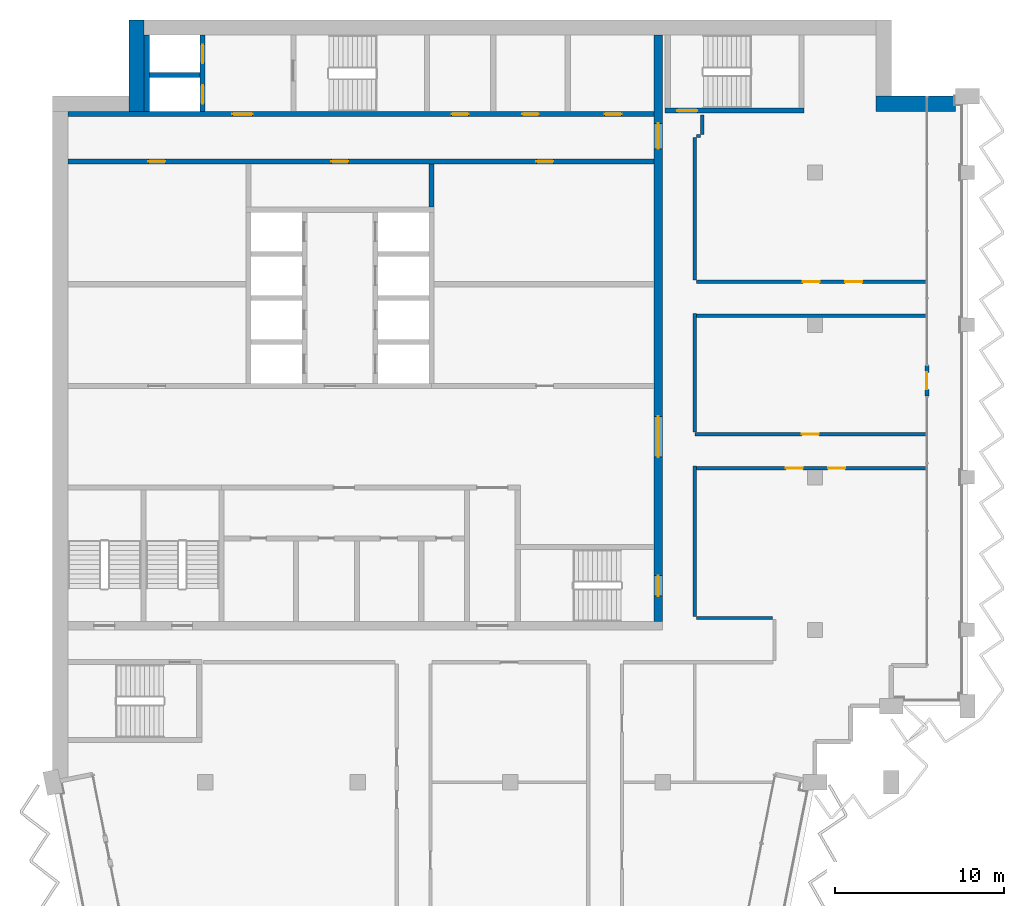
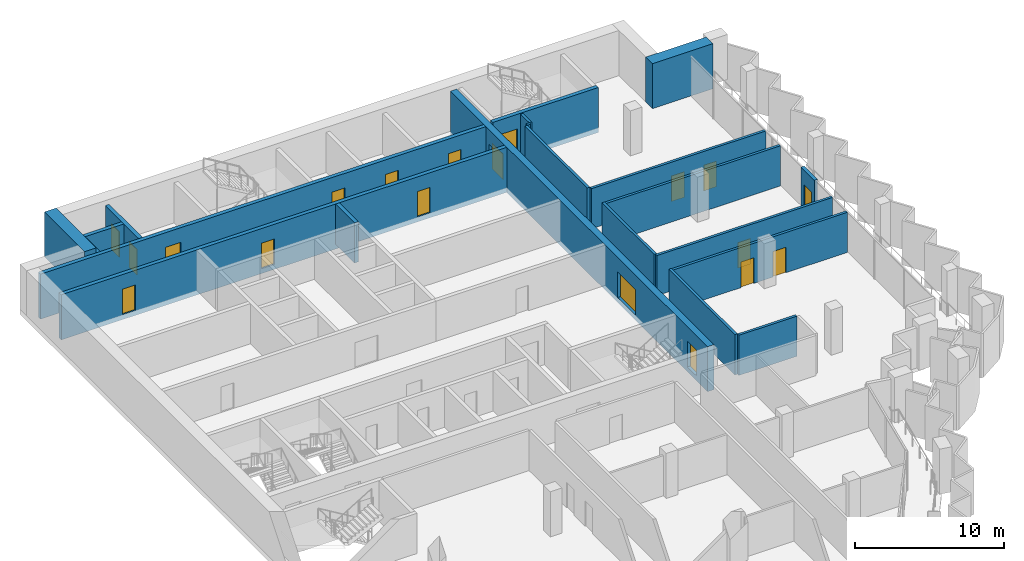
# One storey, part 8 of 13: 21 walls, 19 doors, 19 openings.
"""IFC4 building model written with IfcOpenShell, lengths in metres."""

from ifc_helpers import new_model, si_unit, direction, frame, frame_2d, origin, place, context, subcontext, project, spatial, rectangle, extrude, material, layer, layer_set, type_object, element, fill, save


model = new_model("IFC4")

# Units and contexts
model_context = context("Model", 3, precision=1e-05, world=origin(), true_north=direction((0.0, 1.0)))
body_context = subcontext(model_context, "Body", "Model", "MODEL_VIEW")
ifc_project = project(units=[si_unit("LENGTHUNIT", "METRE"), si_unit("AREAUNIT", "SQUARE_METRE"), si_unit("VOLUMEUNIT", "CUBIC_METRE"), si_unit("PLANEANGLEUNIT", "RADIAN"), si_unit("MASSUNIT", "GRAM", prefix="KILO")], contexts=[model_context])

# Site, building, storey
site_placement = place(None, origin())
site = spatial("IfcSite", under=ifc_project, at=site_placement, CompositionType="ELEMENT")
building_placement = place(site_placement, origin())
building = spatial("IfcBuilding", under=site, at=building_placement, Name="Hunhe Ridgeline Campus", CompositionType="ELEMENT")
storey_placement = place(building_placement, frame((0.0, 0.0, 280.800048828125)))
storey = spatial("IfcBuildingStorey", under=building, at=storey_placement, Name="L72", CompositionType="ELEMENT", Elevation=280.800048828125)

# Wall
ifc_material_1 = material(Name="Masonry concrete blockwork", Category="masonry")
ifc_layer_1 = layer(ifc_material_1, 0.300048828125)
ifc_layer_set_1 = layer_set([ifc_layer_1], Name="Core room partition 300 concrete block")
wall_type_1 = type_object("IfcWallType", Name="Core room partition 300 concrete block", PredefinedType="PARTITIONING", material=ifc_layer_set_1)
wall_1_placement = place(storey_placement, frame((22.35009765625, 87.949951171875, 0.0), z_axis=(0.0, 0.0, 1.0), x_axis=(0.0, 1.0, 0.0)))
element("IfcWall", 1, at=wall_1_placement, inside=storey, type_object=wall_type_1, Name="L72 core partition 38", PredefinedType="PARTITIONING", context=body_context, shape_type="SweptSolid", body=[
    extrude(rectangle(XDim=2.550048828125, YDim=0.300048828125, at=frame_2d((1.27490234375, 0.0))), origin(), (0.0, 0.0, 1.0), 3.300048828125),
])

# Wall, openings, doors
ifc_material_2 = material(Name="Concrete C50", Category="concrete")
ifc_layer_2 = layer(ifc_material_2, 0.5)
ifc_layer_set_2 = layer_set([ifc_layer_2], Name="Core wall 500 reinforced concrete C50")
wall_type_2 = type_object("IfcWallType", Name="Core wall 500 reinforced concrete C50", PredefinedType="SOLIDWALL", material=ifc_layer_set_2)
wall_2_placement = place(storey_placement, frame((35.75, 63.5, -0.400146484375), z_axis=(0.0, 0.0, 1.0), x_axis=(0.0, 1.0, 0.0)))
wall_2 = element("IfcWall", 2, at=wall_2_placement, inside=storey, type_object=wall_type_2, Name="L72 core wall 44", PredefinedType="SOLIDWALL", context=body_context, shape_type="SweptSolid", body=[
    extrude(rectangle(XDim=34.60009765625, YDim=0.5, at=frame_2d((17.300048828125, 0.0))), origin(), (0.0, 0.0, 1.0), 3.7001953125),
])
opening_1_placement = place(wall_2_placement, frame((9.699951171875, 0.0, 0.39990234375)))
opening_1 = element("IfcOpeningElement", 3, at=opening_1_placement, cuts=wall_2, Name="Opening CD4", PredefinedType="OPENING", context=body_context, shape_type="SweptSolid", body=[
    extrude(rectangle(XDim=2.39990234375, YDim=2.10009765625, at=frame_2d((1.199951171875, 1.050048828125))), frame((0.0, 0.25, 0.0), z_axis=(0.0, -1.0, 0.0), x_axis=(1.0, 0.0, 0.0)), (0.0, 0.0, 1.0), 0.5),
])
opening_2_placement = place(wall_2_placement, frame((27.89990234375, 0.0, 0.39990234375)))
opening_2 = element("IfcOpeningElement", 4, at=opening_2_placement, cuts=wall_2, Name="Opening CD5", PredefinedType="OPENING", context=body_context, shape_type="SweptSolid", body=[
    extrude(rectangle(XDim=1.5, YDim=2.10009765625, at=frame_2d((0.75, 1.050048828125))), frame((0.0, 0.25, 0.0), z_axis=(0.0, -1.0, 0.0), x_axis=(1.0, 0.0, 0.0)), (0.0, 0.0, 1.0), 0.5),
])
opening_3_placement = place(wall_2_placement, frame((1.5, 0.0, 0.39990234375)))
opening_3 = element("IfcOpeningElement", 5, at=opening_3_placement, cuts=wall_2, Name="Opening CD15", PredefinedType="OPENING", context=body_context, shape_type="SweptSolid", body=[
    extrude(rectangle(XDim=1.199951171875, YDim=2.10009765625, at=frame_2d((0.60009765625, 1.050048828125))), frame((0.0, 0.25, 0.0), z_axis=(0.0, -1.0, 0.0), x_axis=(1.0, 0.0, 0.0)), (0.0, 0.0, 1.0), 0.5),
])
ifc_material_3 = material(Name="Anodised aluminium and glass", Category="aluminium")
door_type_1 = type_object("IfcDoorType", Name="Glazed double door 2400x2100", OperationType="DOUBLE_DOOR_SINGLE_SWING", PredefinedType="DOOR", material=ifc_material_3)
door_1_placement = place(opening_1_placement, frame((2.39990234375, 0.0, 0.0), z_axis=(0.0, 0.0, 1.0), x_axis=(-1.0, 0.0, 0.0)))
door_1 = element("IfcDoor", 6, at=door_1_placement, inside=storey, type_object=door_type_1, Name="L72 door HALL-FLOOR", OperationType="DOUBLE_DOOR_SINGLE_SWING", OverallHeight=2.10009765625, OverallWidth=2.39990234375, PredefinedType="DOOR", context=body_context, shape_type="SweptSolid", body=[
    extrude(rectangle(XDim=2.39990234375, YDim=2.10009765625, at=frame_2d((1.199951171875, 1.050048828125))), frame((0.0, 0.02490234375, 0.0), z_axis=(0.0, -1.0, 0.0), x_axis=(1.0, 0.0, 0.0)), (0.0, 0.0, 1.0), 0.050048828125),
])
fill(opening_1, door_1)
ifc_material_4 = material(Name="Hollow metal fire door leaf")
door_type_2 = type_object("IfcDoorType", Name="Stair door 1200x2100 FD60", OperationType="SINGLE_SWING_LEFT", PredefinedType="DOOR", material=ifc_material_4)
door_2_placement = place(opening_3_placement, frame((1.199951171875, 0.0, 0.0), z_axis=(0.0, 0.0, 1.0), x_axis=(-1.0, 0.0, 0.0)))
door_2 = element("IfcDoor", 7, at=door_2_placement, inside=storey, type_object=door_type_2, Name="L72 door S2-FLOOR", OperationType="SINGLE_SWING_LEFT", OverallHeight=2.10009765625, OverallWidth=1.199951171875, PredefinedType="DOOR", context=body_context, shape_type="SweptSolid", body=[
    extrude(rectangle(XDim=1.199951171875, YDim=2.10009765625, at=frame_2d((0.60009765625, 1.050048828125))), frame((0.0, 0.02490234375, 0.0), z_axis=(0.0, -1.0, 0.0), x_axis=(1.0, 0.0, 0.0)), (0.0, 0.0, 1.0), 0.050048828125),
])
fill(opening_3, door_2)
ifc_material_5 = material(Name="Solid core timber door leaf", Category="wood")
door_type_3 = type_object("IfcDoorType", Name="Timber door 1500x2100", OperationType="SINGLE_SWING_LEFT", PredefinedType="DOOR", material=ifc_material_5)
door_3_placement = place(opening_2_placement, frame((1.5, 0.0, 0.0), z_axis=(0.0, 0.0, 1.0), x_axis=(-1.0, 0.0, 0.0)))
door_3 = element("IfcDoor", 8, at=door_3_placement, inside=storey, type_object=door_type_3, Name="L72 door C1-FLOOR", OperationType="SINGLE_SWING_LEFT", OverallHeight=2.10009765625, OverallWidth=1.5, PredefinedType="DOOR", context=body_context, shape_type="SweptSolid", body=[
    extrude(rectangle(XDim=1.5, YDim=2.10009765625, at=frame_2d((0.75, 1.050048828125))), frame((0.0, 0.02490234375, 0.0), z_axis=(0.0, -1.0, 0.0), x_axis=(1.0, 0.0, 0.0)), (0.0, 0.0, 1.0), 0.050048828125),
])
fill(opening_2, door_3)

# Wall
ifc_material_6 = material(Name="Gypsum board partition")
ifc_layer_3 = layer(ifc_material_6, 0.199951171875)
ifc_layer_set_3 = layer_set([ifc_layer_3], Name="Corridor partition 200 gypsum board on steel studs")
wall_type_3 = type_object("IfcWallType", Name="Corridor partition 200 gypsum board on steel studs", PredefinedType="PARTITIONING", material=ifc_layer_set_3)
wall_3_placement = place(storey_placement, frame((38.0, 63.699951171875, 0.0), z_axis=(0.0, 0.0, 1.0), x_axis=(1.0, 0.0, 0.0)))
element("IfcWall", 9, at=wall_3_placement, inside=storey, type_object=wall_type_3, Name="F-L72-wall-015", PredefinedType="PARTITIONING", context=body_context, shape_type="SweptSolid", body=[
    extrude(rectangle(XDim=4.5, YDim=0.199951171875, at=frame_2d((2.25, 0.0))), origin(), (0.0, 0.0, 1.0), 3.300048828125),
])

# Wall, openings, doors
wall_4_placement = place(storey_placement, frame((51.544921875, 72.550048828125, 0.0), z_axis=(0.0, 0.0, 1.0), x_axis=(-1.0, 0.0, 0.0)))
wall_4 = element("IfcWall", 10, at=wall_4_placement, inside=storey, type_object=wall_type_3, Name="F-L72-wall-016", PredefinedType="PARTITIONING", context=body_context, shape_type="SweptSolid", body=[
    extrude(rectangle(XDim=13.544921875, YDim=0.199951171875, at=frame_2d((6.7724609375, 0.0))), origin(), (0.0, 0.0, 1.0), 3.300048828125),
])
opening_4_placement = place(wall_4_placement, frame((7.2724609375, 0.0, 0.0)))
opening_4 = element("IfcOpeningElement", 11, at=opening_4_placement, cuts=wall_4, Name="Opening RD1-012", PredefinedType="OPENING", context=body_context, shape_type="SweptSolid", body=[
    extrude(rectangle(XDim=1.0, YDim=2.10009765625, at=frame_2d((0.5, 1.050048828125))), frame((0.0, 0.10009765625, 0.0), z_axis=(0.0, -1.0, 0.0), x_axis=(1.0, 0.0, 0.0)), (0.0, 0.0, 1.0), 0.199951171875),
])
opening_5_placement = place(wall_4_placement, frame((4.7724609375, 0.0, 0.0)))
opening_5 = element("IfcOpeningElement", 12, at=opening_5_placement, cuts=wall_4, Name="Opening RD1-013", PredefinedType="OPENING", context=body_context, shape_type="SweptSolid", body=[
    extrude(rectangle(XDim=1.0, YDim=2.10009765625, at=frame_2d((0.5, 1.050048828125))), frame((0.0, 0.10009765625, 0.0), z_axis=(0.0, -1.0, 0.0), x_axis=(1.0, 0.0, 0.0)), (0.0, 0.0, 1.0), 0.199951171875),
])
ifc_material_7 = material(Name="Timber door leaf", Category="wood")
door_type_4 = type_object("IfcDoorType", Name="Single fire door 1000x2100 timber FD60", OperationType="NOTDEFINED", PredefinedType="DOOR", material=ifc_material_7)
door_4_placement = place(opening_4_placement, frame((1.0, 0.0, 0.0), z_axis=(0.0, 0.0, 1.0), x_axis=(-1.0, 0.0, 0.0)))
door_4 = element("IfcDoor", 13, at=door_4_placement, inside=storey, type_object=door_type_4, Name="F-L72-door-012", OperationType="SINGLE_SWING_LEFT", OverallHeight=2.10009765625, OverallWidth=1.0, PredefinedType="DOOR", context=body_context, shape_type="SweptSolid", body=[
    extrude(rectangle(XDim=1.0, YDim=2.10009765625, at=frame_2d((0.5, 1.050048828125))), frame((0.0, 0.02490234375, 0.0), z_axis=(0.0, -1.0, 0.0), x_axis=(1.0, 0.0, 0.0)), (0.0, 0.0, 1.0), 0.050048828125),
])
fill(opening_4, door_4)
door_5_placement = place(opening_5_placement, frame((1.0, 0.0, 0.0), z_axis=(0.0, 0.0, 1.0), x_axis=(-1.0, 0.0, 0.0)))
door_5 = element("IfcDoor", 14, at=door_5_placement, inside=storey, type_object=door_type_4, Name="F-L72-door-013", OperationType="SINGLE_SWING_RIGHT", OverallHeight=2.10009765625, OverallWidth=1.0, PredefinedType="DOOR", context=body_context, shape_type="SweptSolid", body=[
    extrude(rectangle(XDim=1.0, YDim=2.10009765625, at=frame_2d((0.5, 1.050048828125))), frame((0.0, 0.02490234375, 0.0), z_axis=(0.0, -1.0, 0.0), x_axis=(1.0, 0.0, 0.0)), (0.0, 0.0, 1.0), 0.050048828125),
])
fill(opening_5, door_5)

# Wall, opening, door
wall_5_placement = place(storey_placement, frame((37.89990234375, 74.550048828125, 0.0), z_axis=(0.0, 0.0, 1.0), x_axis=(1.0, 0.0, 0.0)))
wall_5 = element("IfcWall", 15, at=wall_5_placement, inside=storey, type_object=wall_type_3, Name="F-L72-wall-017", PredefinedType="PARTITIONING", context=body_context, shape_type="SweptSolid", body=[
    extrude(rectangle(XDim=13.64501953125, YDim=0.199951171875, at=frame_2d((6.822509765625, 0.0))), origin(), (0.0, 0.0, 1.0), 3.300048828125),
])
opening_6_placement = place(wall_5_placement, frame((6.322509765625, 0.0, 0.0)))
opening_6 = element("IfcOpeningElement", 16, at=opening_6_placement, cuts=wall_5, Name="Opening RD1-014", PredefinedType="OPENING", context=body_context, shape_type="SweptSolid", body=[
    extrude(rectangle(XDim=1.0, YDim=2.10009765625, at=frame_2d((0.5, 1.050048828125))), frame((0.0, 0.10009765625, 0.0), z_axis=(0.0, -1.0, 0.0), x_axis=(1.0, 0.0, 0.0)), (0.0, 0.0, 1.0), 0.199951171875),
])
door_6_placement = place(opening_6_placement, origin())
door_6 = element("IfcDoor", 17, at=door_6_placement, inside=storey, type_object=door_type_4, Name="F-L72-door-014", OperationType="SINGLE_SWING_RIGHT", OverallHeight=2.10009765625, OverallWidth=1.0, PredefinedType="DOOR", context=body_context, shape_type="SweptSolid", body=[
    extrude(rectangle(XDim=1.0, YDim=2.10009765625, at=frame_2d((0.5, 1.050048828125))), frame((0.0, 0.02490234375, 0.0), z_axis=(0.0, -1.0, 0.0), x_axis=(1.0, 0.0, 0.0)), (0.0, 0.0, 1.0), 0.050048828125),
])
fill(opening_6, door_6)

# Wall
wall_6_placement = place(storey_placement, frame((51.544921875, 81.550048828125, 0.0), z_axis=(0.0, 0.0, 1.0), x_axis=(-1.0, 0.0, 0.0)))
element("IfcWall", 18, at=wall_6_placement, inside=storey, type_object=wall_type_3, Name="F-L72-wall-018", PredefinedType="PARTITIONING", context=body_context, shape_type="SweptSolid", body=[
    extrude(rectangle(XDim=13.544921875, YDim=0.199951171875, at=frame_2d((6.7724609375, 0.0))), origin(), (0.0, 0.0, 1.0), 3.300048828125),
])

# Wall, openings, doors
wall_7_placement = place(storey_placement, frame((38.0, 83.550048828125, 0.0), z_axis=(0.0, 0.0, 1.0), x_axis=(1.0, 0.0, 0.0)))
wall_7 = element("IfcWall", 19, at=wall_7_placement, inside=storey, type_object=wall_type_3, Name="F-L72-wall-019", PredefinedType="PARTITIONING", context=body_context, shape_type="SweptSolid", body=[
    extrude(rectangle(XDim=13.544921875, YDim=0.199951171875, at=frame_2d((6.7724609375, 0.0))), origin(), (0.0, 0.0, 1.0), 3.300048828125),
])
opening_7_placement = place(wall_7_placement, frame((6.2724609375, 0.0, 0.0)))
opening_7 = element("IfcOpeningElement", 20, at=opening_7_placement, cuts=wall_7, Name="Opening RD1-015", PredefinedType="OPENING", context=body_context, shape_type="SweptSolid", body=[
    extrude(rectangle(XDim=1.0, YDim=2.10009765625, at=frame_2d((0.5, 1.050048828125))), frame((0.0, 0.10009765625, 0.0), z_axis=(0.0, -1.0, 0.0), x_axis=(1.0, 0.0, 0.0)), (0.0, 0.0, 1.0), 0.199951171875),
])
opening_8_placement = place(wall_7_placement, frame((8.7724609375, 0.0, 0.0)))
opening_8 = element("IfcOpeningElement", 21, at=opening_8_placement, cuts=wall_7, Name="Opening RD1-016", PredefinedType="OPENING", context=body_context, shape_type="SweptSolid", body=[
    extrude(rectangle(XDim=1.0, YDim=2.10009765625, at=frame_2d((0.5, 1.050048828125))), frame((0.0, 0.10009765625, 0.0), z_axis=(0.0, -1.0, 0.0), x_axis=(1.0, 0.0, 0.0)), (0.0, 0.0, 1.0), 0.199951171875),
])
door_7_placement = place(opening_7_placement, frame((1.0, 0.0, 0.0), z_axis=(0.0, 0.0, 1.0), x_axis=(-1.0, 0.0, 0.0)))
door_7 = element("IfcDoor", 22, at=door_7_placement, inside=storey, type_object=door_type_4, Name="F-L72-door-015", OperationType="SINGLE_SWING_LEFT", OverallHeight=2.10009765625, OverallWidth=1.0, PredefinedType="DOOR", context=body_context, shape_type="SweptSolid", body=[
    extrude(rectangle(XDim=1.0, YDim=2.10009765625, at=frame_2d((0.5, 1.050048828125))), frame((0.0, 0.02490234375, 0.0), z_axis=(0.0, -1.0, 0.0), x_axis=(1.0, 0.0, 0.0)), (0.0, 0.0, 1.0), 0.050048828125),
])
fill(opening_7, door_7)
door_8_placement = place(opening_8_placement, frame((1.0, 0.0, 0.0), z_axis=(0.0, 0.0, 1.0), x_axis=(-1.0, 0.0, 0.0)))
door_8 = element("IfcDoor", 23, at=door_8_placement, inside=storey, type_object=door_type_4, Name="F-L72-door-016", OperationType="SINGLE_SWING_LEFT", OverallHeight=2.10009765625, OverallWidth=1.0, PredefinedType="DOOR", context=body_context, shape_type="SweptSolid", body=[
    extrude(rectangle(XDim=1.0, YDim=2.10009765625, at=frame_2d((0.5, 1.050048828125))), frame((0.0, 0.02490234375, 0.0), z_axis=(0.0, -1.0, 0.0), x_axis=(1.0, 0.0, 0.0)), (0.0, 0.0, 1.0), 0.050048828125),
])
fill(opening_8, door_8)

# Walls
wall_8_placement = place(storey_placement, frame((38.25, 92.14990234375, 0.0), z_axis=(0.0, 0.0, 1.0), x_axis=(-1.0, 0.0, 0.0)))
element("IfcWall", 24, at=wall_8_placement, inside=storey, type_object=wall_type_3, Name="F-L72-wall-020", PredefinedType="PARTITIONING", context=body_context, shape_type="SweptSolid", body=[
    extrude(rectangle(XDim=0.25, YDim=0.199951171875, at=frame_2d((0.125, 0.0))), origin(), (0.0, 0.0, 1.0), 3.300048828125),
])
wall_9_placement = place(storey_placement, frame((37.89990234375, 72.684326171875, 0.0), z_axis=(0.0, 0.0, 1.0), x_axis=(0.0, -1.0, 0.0)))
element("IfcWall", 25, at=wall_9_placement, inside=storey, type_object=wall_type_3, Name="F-L72-wall-026", PredefinedType="PARTITIONING", context=body_context, shape_type="SweptSolid", body=[
    extrude(rectangle(XDim=8.88427734375, YDim=0.199951171875, at=frame_2d((4.442138671875, 0.0))), origin(), (0.0, 0.0, 1.0), 3.300048828125),
])
wall_10_placement = place(storey_placement, frame((37.89990234375, 81.66845703125, 0.0), z_axis=(0.0, 0.0, 1.0), x_axis=(0.0, -1.0, 0.0)))
element("IfcWall", 26, at=wall_10_placement, inside=storey, type_object=wall_type_3, Name="F-L72-wall-027", PredefinedType="PARTITIONING", context=body_context, shape_type="SweptSolid", body=[
    extrude(rectangle(XDim=6.98779296875, YDim=0.199951171875, at=frame_2d((3.493896484375, 0.0))), origin(), (0.0, 0.0, 1.0), 3.300048828125),
])
wall_11_placement = place(storey_placement, frame((37.89990234375, 92.050048828125, 0.0), z_axis=(0.0, 0.0, 1.0), x_axis=(0.0, -1.0, 0.0)))
element("IfcWall", 27, at=wall_11_placement, inside=storey, type_object=wall_type_3, Name="F-L72-wall-028", PredefinedType="PARTITIONING", context=body_context, shape_type="SweptSolid", body=[
    extrude(rectangle(XDim=8.38525390625, YDim=0.199951171875, at=frame_2d((4.192626953125, 0.0))), origin(), (0.0, 0.0, 1.0), 3.300048828125),
])
wall_12_placement = place(storey_placement, frame((38.35009765625, 93.39599609375, 0.0), z_axis=(0.0, 0.0, 1.0), x_axis=(0.0, -1.0, 0.0)))
element("IfcWall", 28, at=wall_12_placement, inside=storey, type_object=wall_type_3, Name="F-L72-wall-029", PredefinedType="PARTITIONING", context=body_context, shape_type="SweptSolid", body=[
    extrude(rectangle(XDim=1.14599609375, YDim=0.199951171875, at=frame_2d((0.572998046875, 0.0))), origin(), (0.0, 0.0, 1.0), 3.300048828125),
])

# Wall, openings, doors
ifc_layer_4 = layer(ifc_material_2, 0.300048828125)
ifc_layer_set_4 = layer_set([ifc_layer_4], Name="Lobby wall 300 reinforced concrete C50")
wall_type_4 = type_object("IfcWallType", Name="Lobby wall 300 reinforced concrete C50", PredefinedType="SOLIDWALL", material=ifc_layer_set_4)
wall_13_placement = place(storey_placement, frame((0.89990234375, 90.64990234375, -0.400146484375), z_axis=(0.0, 0.0, 1.0), x_axis=(1.0, 0.0, 0.0)))
wall_13 = element("IfcWall", 29, at=wall_13_placement, inside=storey, type_object=wall_type_4, Name="L72 core wall 19", PredefinedType="SOLIDWALL", context=body_context, shape_type="SweptSolid", body=[
    extrude(rectangle(XDim=34.60009765625, YDim=0.300048828125, at=frame_2d((17.300048828125, 0.0))), origin(), (0.0, 0.0, 1.0), 3.7001953125),
])
opening_9_placement = place(wall_13_placement, frame((15.550048828125, 0.0, 0.39990234375)))
opening_9 = element("IfcOpeningElement", 30, at=opening_9_placement, cuts=wall_13, Name="Opening CD26", PredefinedType="OPENING", context=body_context, shape_type="SweptSolid", body=[
    extrude(rectangle(XDim=1.0, YDim=2.10009765625, at=frame_2d((0.5, 1.050048828125))), frame((0.0, 0.14990234375, 0.0), z_axis=(0.0, -1.0, 0.0), x_axis=(1.0, 0.0, 0.0)), (0.0, 0.0, 1.0), 0.300048828125),
])
opening_10_placement = place(wall_13_placement, frame((4.75, 0.0, 0.39990234375)))
opening_10 = element("IfcOpeningElement", 31, at=opening_10_placement, cuts=wall_13, Name="Opening CD40", PredefinedType="OPENING", context=body_context, shape_type="SweptSolid", body=[
    extrude(rectangle(XDim=1.0, YDim=2.10009765625, at=frame_2d((0.5, 1.050048828125))), frame((0.0, 0.14990234375, 0.0), z_axis=(0.0, -1.0, 0.0), x_axis=(1.0, 0.0, 0.0)), (0.0, 0.0, 1.0), 0.300048828125),
])
opening_11_placement = place(wall_13_placement, frame((27.64990234375, 0.0, 0.39990234375)))
opening_11 = element("IfcOpeningElement", 32, at=opening_11_placement, cuts=wall_13, Name="Opening CD33", PredefinedType="OPENING", context=body_context, shape_type="SweptSolid", body=[
    extrude(rectangle(XDim=1.0, YDim=2.10009765625, at=frame_2d((0.5, 1.050048828125))), frame((0.0, 0.14990234375, 0.0), z_axis=(0.0, -1.0, 0.0), x_axis=(1.0, 0.0, 0.0)), (0.0, 0.0, 1.0), 0.300048828125),
])
door_type_5 = type_object("IfcDoorType", Name="Timber door 1000x2100", OperationType="SINGLE_SWING_LEFT", PredefinedType="DOOR", material=ifc_material_5)
door_9_placement = place(opening_9_placement, frame((1.0, 0.0, 0.0), z_axis=(0.0, 0.0, 1.0), x_axis=(-1.0, 0.0, 0.0)))
door_9 = element("IfcDoor", 33, at=door_9_placement, inside=storey, type_object=door_type_5, Name="L72 door NR-0", OperationType="SINGLE_SWING_LEFT", OverallHeight=2.10009765625, OverallWidth=1.0, PredefinedType="DOOR", context=body_context, shape_type="SweptSolid", body=[
    extrude(rectangle(XDim=1.0, YDim=2.10009765625, at=frame_2d((0.5, 1.050048828125))), frame((0.0, 0.02490234375, 0.0), z_axis=(0.0, -1.0, 0.0), x_axis=(1.0, 0.0, 0.0)), (0.0, 0.0, 1.0), 0.050048828125),
])
fill(opening_9, door_9)
door_10_placement = place(opening_10_placement, frame((1.0, 0.0, 0.0), z_axis=(0.0, 0.0, 1.0), x_axis=(-1.0, 0.0, 0.0)))
door_10 = element("IfcDoor", 34, at=door_10_placement, inside=storey, type_object=door_type_5, Name="L72 door VD-LR1", OperationType="SINGLE_SWING_LEFT", OverallHeight=2.10009765625, OverallWidth=1.0, PredefinedType="DOOR", context=body_context, shape_type="SweptSolid", body=[
    extrude(rectangle(XDim=1.0, YDim=2.10009765625, at=frame_2d((0.5, 1.050048828125))), frame((0.0, 0.02490234375, 0.0), z_axis=(0.0, -1.0, 0.0), x_axis=(1.0, 0.0, 0.0)), (0.0, 0.0, 1.0), 0.050048828125),
])
fill(opening_10, door_10)
door_11_placement = place(opening_11_placement, frame((1.0, 0.0, 0.0), z_axis=(0.0, 0.0, 1.0), x_axis=(-1.0, 0.0, 0.0)))
door_11 = element("IfcDoor", 35, at=door_11_placement, inside=storey, type_object=door_type_5, Name="L72 door ES1", OperationType="SINGLE_SWING_RIGHT", OverallHeight=2.10009765625, OverallWidth=1.0, PredefinedType="DOOR", context=body_context, shape_type="SweptSolid", body=[
    extrude(rectangle(XDim=1.0, YDim=2.10009765625, at=frame_2d((0.5, 1.050048828125))), frame((0.0, 0.02490234375, 0.0), z_axis=(0.0, -1.0, 0.0), x_axis=(1.0, 0.0, 0.0)), (0.0, 0.0, 1.0), 0.050048828125),
])
fill(opening_11, door_11)

# Wall, opening, door
ifc_material_8 = material(Name="Concrete C30", Category="concrete")
ifc_layer_5 = layer(ifc_material_8, 0.25)
ifc_layer_set_5 = layer_set([ifc_layer_5], Name="Loggia door pier wall 250 Concrete C30")
wall_type_5 = type_object("IfcWallType", Name="Loggia door pier wall 250 Concrete C30", PredefinedType="SOLIDWALL", material=ifc_layer_set_5)
wall_14_placement = place(storey_placement, frame((51.59912109375, 76.800537109375, 0.0), z_axis=(0.0, 0.0, 1.0), x_axis=(0.0, 1.0, 0.0)))
wall_14 = element("IfcWall", 36, at=wall_14_placement, inside=storey, type_object=wall_type_5, Name="Loggia door pier 3", PredefinedType="SOLIDWALL", context=body_context, shape_type="SweptSolid", body=[
    extrude(rectangle(XDim=1.800048828125, YDim=0.25, at=frame_2d((0.89990234375, 0.0))), origin(), (0.0, 0.0, 1.0), 3.300048828125),
])
opening_12_placement = place(wall_14_placement, frame((0.39990234375, 0.0, 0.0)))
opening_12 = element("IfcOpeningElement", 37, at=opening_12_placement, cuts=wall_14, Name="Opening BD605", PredefinedType="OPENING", context=body_context, shape_type="SweptSolid", body=[
    extrude(rectangle(XDim=1.0, YDim=2.10009765625, at=frame_2d((0.5, 1.050048828125))), frame((0.0, 0.125, 0.0), z_axis=(0.0, -1.0, 0.0), x_axis=(1.0, 0.0, 0.0)), (0.0, 0.0, 1.0), 0.25),
])
ifc_material_9 = material(Name="Aluminium 6063", Category="aluminium")
door_type_6 = type_object("IfcDoorType", Name="Loggia glazed door 1000x2100", OperationType="NOTDEFINED", PredefinedType="DOOR", material=ifc_material_9)
door_12_placement = place(opening_12_placement, frame((1.0, 0.0, 0.0), z_axis=(0.0, 0.0, 1.0), x_axis=(-1.0, 0.0, 0.0)))
door_12 = element("IfcDoor", 38, at=door_12_placement, inside=storey, type_object=door_type_6, Name="Loggia door BD605", OperationType="SINGLE_SWING_RIGHT", OverallHeight=2.10009765625, OverallWidth=1.0, PredefinedType="DOOR", context=body_context, shape_type="SweptSolid", body=[
    extrude(rectangle(XDim=1.0, YDim=2.10009765625, at=frame_2d((0.5, 1.050048828125))), frame((0.0, 0.02490234375, 0.0), z_axis=(0.0, -1.0, 0.0), x_axis=(1.0, 0.0, 0.0)), (0.0, 0.0, 1.0), 0.050048828125),
])
fill(opening_12, door_12)

# Wall, openings, doors
ifc_layer_6 = layer(ifc_material_2, 0.300048828125)
ifc_layer_set_6 = layer_set([ifc_layer_6], Name="Shaft wall 300 reinforced concrete C50")
wall_type_6 = type_object("IfcWallType", Name="Shaft wall 300 reinforced concrete C50", PredefinedType="SOLIDWALL", material=ifc_layer_set_6)
wall_15_placement = place(storey_placement, frame((0.89990234375, 93.449951171875, -0.400146484375), z_axis=(0.0, 0.0, 1.0), x_axis=(1.0, 0.0, 0.0)))
wall_15 = element("IfcWall", 39, at=wall_15_placement, inside=storey, type_object=wall_type_6, Name="L72 core wall 20", PredefinedType="SOLIDWALL", context=body_context, shape_type="SweptSolid", body=[
    extrude(rectangle(XDim=34.60009765625, YDim=0.300048828125, at=frame_2d((17.300048828125, 0.0))), origin(), (0.0, 0.0, 1.0), 3.7001953125),
])
opening_13_placement = place(wall_15_placement, frame((9.699951171875, 0.0, 0.39990234375)))
opening_13 = element("IfcOpeningElement", 40, at=opening_13_placement, cuts=wall_15, Name="Opening CD3", PredefinedType="OPENING", context=body_context, shape_type="SweptSolid", body=[
    extrude(rectangle(XDim=1.199951171875, YDim=2.10009765625, at=frame_2d((0.60009765625, 1.050048828125))), frame((0.0, 0.14990234375, 0.0), z_axis=(0.0, -1.0, 0.0), x_axis=(1.0, 0.0, 0.0)), (0.0, 0.0, 1.0), 0.300048828125),
])
opening_14_placement = place(wall_15_placement, frame((22.64990234375, 0.0, 0.39990234375)))
opening_14 = element("IfcOpeningElement", 41, at=opening_14_placement, cuts=wall_15, Name="Opening CD34", PredefinedType="OPENING", context=body_context, shape_type="SweptSolid", body=[
    extrude(rectangle(XDim=1.0, YDim=2.10009765625, at=frame_2d((0.5, 1.050048828125))), frame((0.0, 0.14990234375, 0.0), z_axis=(0.0, -1.0, 0.0), x_axis=(1.0, 0.0, 0.0)), (0.0, 0.0, 1.0), 0.300048828125),
])
opening_15_placement = place(wall_15_placement, frame((26.800048828125, 0.0, 0.39990234375)))
opening_15 = element("IfcOpeningElement", 42, at=opening_15_placement, cuts=wall_15, Name="Opening CD35", PredefinedType="OPENING", context=body_context, shape_type="SweptSolid", body=[
    extrude(rectangle(XDim=1.0, YDim=2.10009765625, at=frame_2d((0.5, 1.050048828125))), frame((0.0, 0.14990234375, 0.0), z_axis=(0.0, -1.0, 0.0), x_axis=(1.0, 0.0, 0.0)), (0.0, 0.0, 1.0), 0.300048828125),
])
opening_16_placement = place(wall_15_placement, frame((31.675048828125, 0.0, 0.39990234375)))
opening_16 = element("IfcOpeningElement", 43, at=opening_16_placement, cuts=wall_15, Name="Opening CD36", PredefinedType="OPENING", context=body_context, shape_type="SweptSolid", body=[
    extrude(rectangle(XDim=1.0, YDim=2.10009765625, at=frame_2d((0.5, 1.050048828125))), frame((0.0, 0.14990234375, 0.0), z_axis=(0.0, -1.0, 0.0), x_axis=(1.0, 0.0, 0.0)), (0.0, 0.0, 1.0), 0.300048828125),
])
door_type_7 = type_object("IfcDoorType", Name="Lobby door 1200x2100 FD60", OperationType="SINGLE_SWING_LEFT", PredefinedType="DOOR", material=ifc_material_4)
door_13_placement = place(opening_13_placement, frame((1.199951171875, 0.0, 0.0), z_axis=(0.0, 0.0, 1.0), x_axis=(-1.0, 0.0, 0.0)))
door_13 = element("IfcDoor", 44, at=door_13_placement, inside=storey, type_object=door_type_7, Name="L72 door FF-C1", OperationType="SINGLE_SWING_RIGHT", OverallHeight=2.10009765625, OverallWidth=1.199951171875, PredefinedType="DOOR", context=body_context, shape_type="SweptSolid", body=[
    extrude(rectangle(XDim=1.199951171875, YDim=2.10009765625, at=frame_2d((0.60009765625, 1.050048828125))), frame((0.0, 0.02490234375, 0.0), z_axis=(0.0, -1.0, 0.0), x_axis=(1.0, 0.0, 0.0)), (0.0, 0.0, 1.0), 0.050048828125),
])
fill(opening_13, door_13)
door_14_placement = place(opening_14_placement, origin())
door_14 = element("IfcDoor", 45, at=door_14_placement, inside=storey, type_object=door_type_5, Name="L72 door NB0", OperationType="SINGLE_SWING_RIGHT", OverallHeight=2.10009765625, OverallWidth=1.0, PredefinedType="DOOR", context=body_context, shape_type="SweptSolid", body=[
    extrude(rectangle(XDim=1.0, YDim=2.10009765625, at=frame_2d((0.5, 1.050048828125))), frame((0.0, 0.02490234375, 0.0), z_axis=(0.0, -1.0, 0.0), x_axis=(1.0, 0.0, 0.0)), (0.0, 0.0, 1.0), 0.050048828125),
])
fill(opening_14, door_14)
door_15_placement = place(opening_15_placement, origin())
door_15 = element("IfcDoor", 46, at=door_15_placement, inside=storey, type_object=door_type_5, Name="L72 door NB1", OperationType="SINGLE_SWING_LEFT", OverallHeight=2.10009765625, OverallWidth=1.0, PredefinedType="DOOR", context=body_context, shape_type="SweptSolid", body=[
    extrude(rectangle(XDim=1.0, YDim=2.10009765625, at=frame_2d((0.5, 1.050048828125))), frame((0.0, 0.02490234375, 0.0), z_axis=(0.0, -1.0, 0.0), x_axis=(1.0, 0.0, 0.0)), (0.0, 0.0, 1.0), 0.050048828125),
])
fill(opening_15, door_15)
door_16_placement = place(opening_16_placement, origin())
door_16 = element("IfcDoor", 47, at=door_16_placement, inside=storey, type_object=door_type_5, Name="L72 door NB2", OperationType="SINGLE_SWING_RIGHT", OverallHeight=2.10009765625, OverallWidth=1.0, PredefinedType="DOOR", context=body_context, shape_type="SweptSolid", body=[
    extrude(rectangle(XDim=1.0, YDim=2.10009765625, at=frame_2d((0.5, 1.050048828125))), frame((0.0, 0.02490234375, 0.0), z_axis=(0.0, -1.0, 0.0), x_axis=(1.0, 0.0, 0.0)), (0.0, 0.0, 1.0), 0.050048828125),
])
fill(opening_16, door_16)

# Walls
wall_16_placement = place(storey_placement, frame((5.699951171875, 95.75, -0.400146484375), z_axis=(0.0, 0.0, 1.0), x_axis=(1.0, 0.0, 0.0)))
element("IfcWall", 48, at=wall_16_placement, inside=storey, type_object=wall_type_6, Name="L72 core wall 22", PredefinedType="SOLIDWALL", context=body_context, shape_type="SweptSolid", body=[
    extrude(rectangle(XDim=3.0, YDim=0.300048828125, at=frame_2d((1.5, 0.0))), origin(), (0.0, 0.0, 1.0), 3.7001953125),
])
wall_17_placement = place(storey_placement, frame((5.550048828125, 93.60009765625, -0.400146484375), z_axis=(0.0, 0.0, 1.0), x_axis=(0.0, 1.0, 0.0)))
element("IfcWall", 49, at=wall_17_placement, inside=storey, type_object=wall_type_6, Name="L72 core wall 24", PredefinedType="SOLIDWALL", context=body_context, shape_type="SweptSolid", body=[
    extrude(rectangle(XDim=4.5, YDim=0.300048828125, at=frame_2d((2.25, 0.0))), origin(), (0.0, 0.0, 1.0), 3.7001953125),
])

# Wall, openings, doors
wall_18_placement = place(storey_placement, frame((8.85009765625, 93.60009765625, -0.400146484375), z_axis=(0.0, 0.0, 1.0), x_axis=(0.0, 1.0, 0.0)))
wall_18 = element("IfcWall", 50, at=wall_18_placement, inside=storey, type_object=wall_type_6, Name="L72 core wall 26", PredefinedType="SOLIDWALL", context=body_context, shape_type="SweptSolid", body=[
    extrude(rectangle(XDim=4.5, YDim=0.300048828125, at=frame_2d((2.25, 0.0))), origin(), (0.0, 0.0, 1.0), 3.7001953125),
])
opening_17_placement = place(wall_18_placement, frame((0.449951171875, 0.0, 0.39990234375)))
opening_17 = element("IfcOpeningElement", 51, at=opening_17_placement, cuts=wall_18, Name="Opening LD-FF1", PredefinedType="OPENING", context=body_context, shape_type="SweptSolid", body=[
    extrude(rectangle(XDim=1.10009765625, YDim=2.10009765625, at=frame_2d((0.550048828125, 1.050048828125))), frame((0.0, 0.14990234375, 0.0), z_axis=(0.0, -1.0, 0.0), x_axis=(1.0, 0.0, 0.0)), (0.0, 0.0, 1.0), 0.300048828125),
])
opening_18_placement = place(wall_18_placement, frame((2.85009765625, 0.0, 0.39990234375)))
opening_18 = element("IfcOpeningElement", 52, at=opening_18_placement, cuts=wall_18, Name="Opening LD-FF2", PredefinedType="OPENING", context=body_context, shape_type="SweptSolid", body=[
    extrude(rectangle(XDim=1.10009765625, YDim=2.10009765625, at=frame_2d((0.550048828125, 1.050048828125))), frame((0.0, 0.14990234375, 0.0), z_axis=(0.0, -1.0, 0.0), x_axis=(1.0, 0.0, 0.0)), (0.0, 0.0, 1.0), 0.300048828125),
])
ifc_material_10 = material(Name="Stainless steel sliding leaves", Category="steel")
door_type_8 = type_object("IfcDoorType", Name="Landing door 1100x2100 FD120", OperationType="SLIDING_TO_LEFT", PredefinedType="DOOR", material=ifc_material_10)
door_17_placement = place(opening_17_placement, origin())
door_17 = element("IfcDoor", 53, at=door_17_placement, inside=storey, type_object=door_type_8, Name="L72 landing door FF1", OperationType="SLIDING_TO_RIGHT", OverallHeight=2.10009765625, OverallWidth=1.10009765625, PredefinedType="DOOR", context=body_context, shape_type="SweptSolid", body=[
    extrude(rectangle(XDim=1.10009765625, YDim=2.10009765625, at=frame_2d((0.550048828125, 1.050048828125))), frame((0.0, 0.02490234375, 0.0), z_axis=(0.0, -1.0, 0.0), x_axis=(1.0, 0.0, 0.0)), (0.0, 0.0, 1.0), 0.050048828125),
])
fill(opening_17, door_17)
door_18_placement = place(opening_18_placement, origin())
door_18 = element("IfcDoor", 54, at=door_18_placement, inside=storey, type_object=door_type_8, Name="L72 landing door FF2", OperationType="SLIDING_TO_LEFT", OverallHeight=2.10009765625, OverallWidth=1.10009765625, PredefinedType="DOOR", context=body_context, shape_type="SweptSolid", body=[
    extrude(rectangle(XDim=1.10009765625, YDim=2.10009765625, at=frame_2d((0.550048828125, 1.050048828125))), frame((0.0, 0.02490234375, 0.0), z_axis=(0.0, -1.0, 0.0), x_axis=(1.0, 0.0, 0.0)), (0.0, 0.0, 1.0), 0.050048828125),
])
fill(opening_18, door_18)

# Walls
ifc_layer_7 = layer(ifc_material_2, 0.89990234375)
ifc_layer_set_7 = layer_set([ifc_layer_7], Name="Spine wall 900 Concrete C50")
wall_type_7 = type_object("IfcWallType", Name="Spine wall 900 Concrete C50", PredefinedType="SHEAR", material=ifc_layer_set_7)
wall_19_placement = place(storey_placement, frame((53.300048828125, 94.050048828125, 0.0), z_axis=(0.0, 0.0, 1.0), x_axis=(-1.0, 0.0, 0.0)))
element("IfcWall", 55, at=wall_19_placement, inside=storey, type_object=wall_type_7, Name="Spine wall SW4-2 L72", PredefinedType="SHEAR", context=body_context, shape_type="SweptSolid", body=[
    extrude(rectangle(XDim=4.699951171875, YDim=0.89990234375, at=frame_2d((2.35009765625, 0.0))), origin(), (0.0, 0.0, 1.0), 3.699951171875),
])
wall_20_placement = place(storey_placement, frame((4.949951171875, 99.0, 0.0), z_axis=(0.0, 0.0, 1.0), x_axis=(0.0, -1.0, 0.0)))
element("IfcWall", 56, at=wall_20_placement, inside=storey, type_object=wall_type_7, Name="Spine wall SW4-5 L72", PredefinedType="SHEAR", context=body_context, shape_type="SweptSolid", body=[
    extrude(rectangle(XDim=5.400146484375, YDim=0.89990234375, at=frame_2d((2.7001953125, 0.0))), origin(), (0.0, 0.0, 1.0), 3.699951171875),
])

# Wall, opening, door
ifc_layer_8 = layer(ifc_material_2, 0.300048828125)
ifc_layer_set_8 = layer_set([ifc_layer_8], Name="Stair wall 300 reinforced concrete C50")
wall_type_8 = type_object("IfcWallType", Name="Stair wall 300 reinforced concrete C50", PredefinedType="SOLIDWALL", material=ifc_layer_set_8)
wall_21_placement = place(storey_placement, frame((36.14990234375, 93.64990234375, -0.400146484375), z_axis=(0.0, 0.0, 1.0), x_axis=(1.0, 0.0, 0.0)))
wall_21 = element("IfcWall", 57, at=wall_21_placement, inside=storey, type_object=wall_type_8, Name="L72 core wall 21", PredefinedType="SOLIDWALL", context=body_context, shape_type="SweptSolid", body=[
    extrude(rectangle(XDim=8.2001953125, YDim=0.300048828125, at=frame_2d((4.10009765625, 0.0))), origin(), (0.0, 0.0, 1.0), 3.7001953125),
])
opening_19_placement = place(wall_21_placement, frame((0.699951171875, 0.0, 0.39990234375)))
opening_19 = element("IfcOpeningElement", 58, at=opening_19_placement, cuts=wall_21, Name="Opening CD17", PredefinedType="OPENING", context=body_context, shape_type="SweptSolid", body=[
    extrude(rectangle(XDim=1.199951171875, YDim=2.10009765625, at=frame_2d((0.60009765625, 1.050048828125))), frame((0.0, 0.14990234375, 0.0), z_axis=(0.0, -1.0, 0.0), x_axis=(1.0, 0.0, 0.0)), (0.0, 0.0, 1.0), 0.300048828125),
])
door_19_placement = place(opening_19_placement, frame((1.199951171875, 0.0, 0.0), z_axis=(0.0, 0.0, 1.0), x_axis=(-1.0, 0.0, 0.0)))
door_19 = element("IfcDoor", 59, at=door_19_placement, inside=storey, type_object=door_type_2, Name="L72 door E1", OperationType="SINGLE_SWING_LEFT", OverallHeight=2.10009765625, OverallWidth=1.199951171875, PredefinedType="DOOR", context=body_context, shape_type="SweptSolid", body=[
    extrude(rectangle(XDim=1.199951171875, YDim=2.10009765625, at=frame_2d((0.60009765625, 1.050048828125))), frame((0.0, 0.02490234375, 0.0), z_axis=(0.0, -1.0, 0.0), x_axis=(1.0, 0.0, 0.0)), (0.0, 0.0, 1.0), 0.050048828125),
])
fill(opening_19, door_19)

save(model, "model.ifc")
